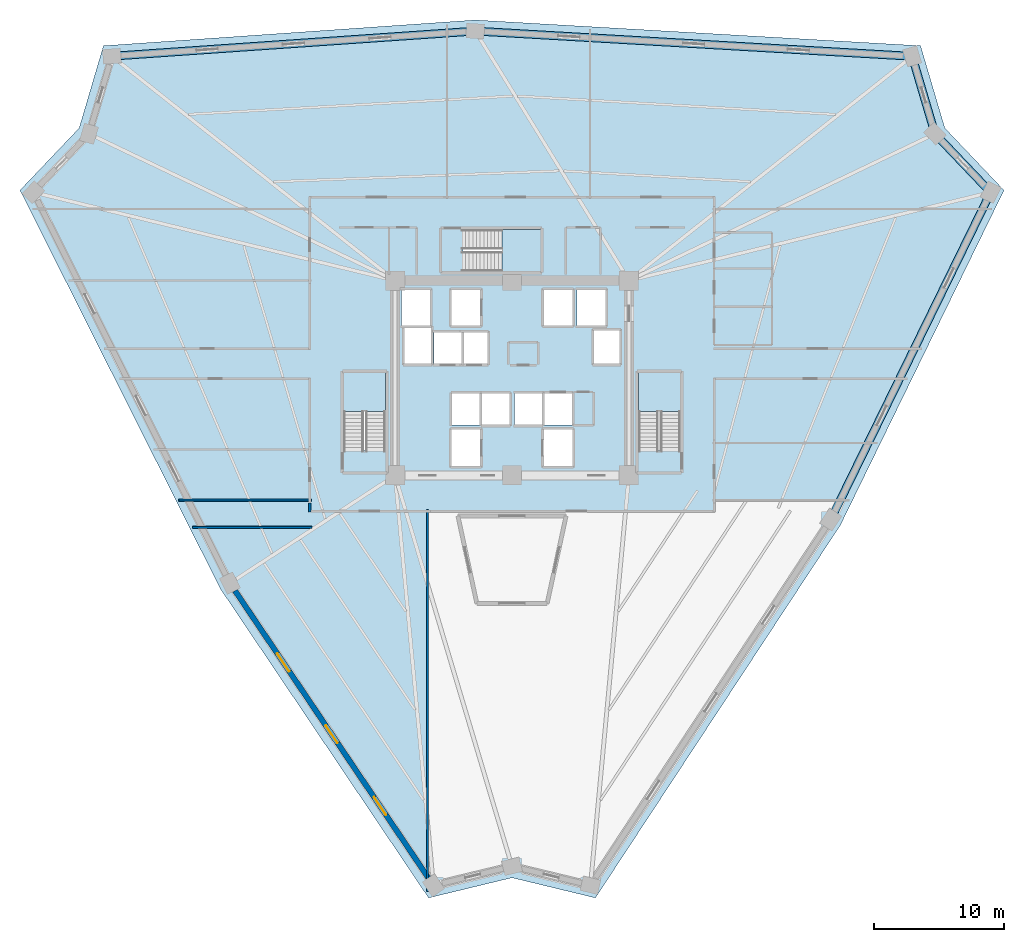
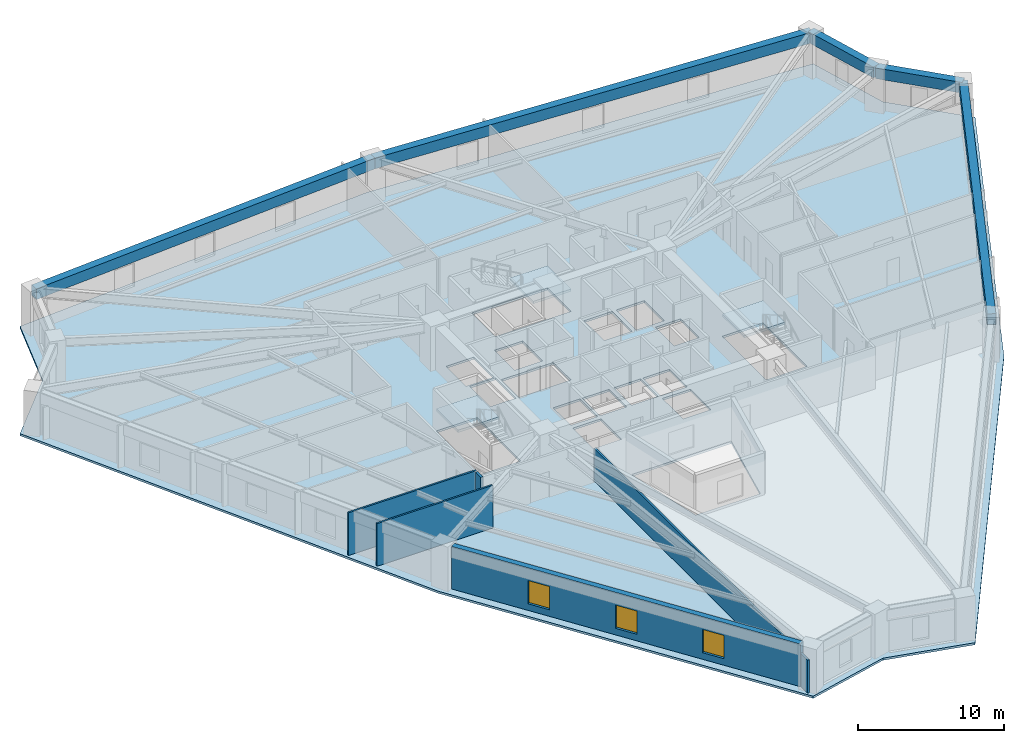
# One storey, part 2 of 9: 5 beams, 5 walls, 4 slabs, 3 windows, 3 openings, 3 elements without a shape of their own.
"""IFC4 building model written with IfcOpenShell, lengths in metres."""

from ifc_helpers import new_model, si_unit, direction, frame, frame_2d, origin, origin_2d, place, context, subcontext, project, spatial, polyline, rectangle, outline, extrude, source, transform, mapped, material, layer, layer_set, material_profile, profile_set, type_object, element, fill, aggregate, save


model = new_model("IFC4")

# Units and contexts
model_context = context("Model", 3, precision=1e-05, world=origin(), true_north=direction((0.0, 1.0)))
body_context = subcontext(model_context, "Body", "Model", "MODEL_VIEW")
ifc_project = project(units=[si_unit("LENGTHUNIT", "METRE"), si_unit("AREAUNIT", "SQUARE_METRE"), si_unit("VOLUMEUNIT", "CUBIC_METRE"), si_unit("PLANEANGLEUNIT", "RADIAN"), si_unit("MASSUNIT", "GRAM", prefix="KILO")], contexts=[model_context])

# Site, building, storey
site_placement = place(None, origin())
site = spatial("IfcSite", under=ifc_project, at=site_placement, CompositionType="ELEMENT")
building_placement = place(site_placement, origin())
building = spatial("IfcBuilding", under=site, at=building_placement, Name="Liaohun Quay Tower", CompositionType="ELEMENT")
storey_placement = place(building_placement, frame((0.0, 0.0, 102.0)))
storey = spatial("IfcBuildingStorey", under=building, at=storey_placement, Name="L26", CompositionType="ELEMENT", Elevation=102.0)

# Beams
ifc_material_1 = material(Name="Precast concrete C55", Category="concrete")
ifc_material_profile = material_profile(ifc_material_1, rectangle(XDim=0.60009765625, YDim=0.89990234375, at=origin_2d()), Name="RC600x900")
ifc_profile_set = profile_set([ifc_material_profile], Name="Precast concrete C55")
beam_type = type_object("IfcBeamType", Name="BM-SPD-Z2", PredefinedType="SPANDREL", material=ifc_profile_set)
shared_shape_1 = source(origin(), body_context, "Body", "SweptSolid", [
    extrude(rectangle(XDim=0.60009765625, YDim=0.89990234375, at=origin_2d()), origin(), (0.0, 0.0, 1.0), 33.677001953125),
])
beam_1_placement = place(storey_placement, frame((57.175048828125, 80.697021484375, 3.1201171875), z_axis=(0.998334044407, -0.057698663574, 0.0), x_axis=(0.057698663574, 0.998334044407, 0.0)))
element("IfcBeam", 1, at=beam_1_placement, inside=storey, type_object=beam_type, Name="L26 Precast Spandrel Beam PC06-PC07", PredefinedType="SPANDREL", context=body_context, shape_type="MappedRepresentation", body=[
    mapped(shared_shape_1, transform((0.0, 0.0, 0.0), x_axis=(1.0, 0.0, 0.0), y_axis=(0.0, 1.0, 0.0), z_axis=(0.0, 0.0, 1.0), scale=1.0)),
])
shared_shape_2 = source(origin(), body_context, "Body", "SweptSolid", [
    extrude(rectangle(XDim=0.60009765625, YDim=0.89990234375, at=origin_2d()), origin(), (0.0, 0.0, 1.0), 28.035888671875),
])
beam_2_placement = place(storey_placement, frame((29.2060546875, 78.760986328125, 3.1201171875), z_axis=(0.997612818127, 0.069055521929, 0.0), x_axis=(-0.069055521929, 0.997612818127, 0.0)))
element("IfcBeam", 2, at=beam_2_placement, inside=storey, type_object=beam_type, Name="L26 Precast Spandrel Beam PC05-PC06", PredefinedType="SPANDREL", context=body_context, shape_type="MappedRepresentation", body=[
    mapped(shared_shape_2, transform((0.0, 0.0, 0.0), x_axis=(1.0, 0.0, 0.0), y_axis=(0.0, 1.0, 0.0), z_axis=(0.0, 0.0, 1.0), scale=1.0)),
])
shared_shape_3 = source(origin(), body_context, "Body", "SweptSolid", [
    extrude(rectangle(XDim=0.60009765625, YDim=0.89990234375, at=origin_2d()), origin(), (0.0, 0.0, 1.0), 6.213623046875),
])
beam_3_placement = place(storey_placement, frame((90.7958984375, 78.75390625, 3.1201171875), z_axis=(0.282781040637, -0.95918448854, 0.0), x_axis=(0.95918448854, 0.282781040637, 0.0)))
element("IfcBeam", 3, at=beam_3_placement, inside=storey, type_object=beam_type, Name="L26 Precast Spandrel Beam PC07-PC08", PredefinedType="SPANDREL", context=body_context, shape_type="MappedRepresentation", body=[
    mapped(shared_shape_3, transform((0.0, 0.0, 0.0), x_axis=(1.0, 0.0, 0.0), y_axis=(0.0, 1.0, 0.0), z_axis=(0.0, 0.0, 1.0), scale=1.0)),
])
shared_shape_4 = source(origin(), body_context, "Body", "SweptSolid", [
    extrude(rectangle(XDim=0.60009765625, YDim=0.89990234375, at=origin_2d()), origin(), (0.0, 0.0, 1.0), 6.22021484375),
])
beam_4_placement = place(storey_placement, frame((92.552978515625, 72.7939453125, 3.1201171875), z_axis=(0.689384622257, -0.724395501502, 0.0), x_axis=(0.724395501502, 0.689384622257, 0.0)))
element("IfcBeam", 4, at=beam_4_placement, inside=storey, type_object=beam_type, Name="L26 Precast Spandrel Beam PC08-PC09", PredefinedType="SPANDREL", context=body_context, shape_type="MappedRepresentation", body=[
    mapped(shared_shape_4, transform((0.0, 0.0, 0.0), x_axis=(1.0, 0.0, 0.0), y_axis=(0.0, 1.0, 0.0), z_axis=(0.0, 0.0, 1.0), scale=1.0)),
])
shared_shape_5 = source(origin(), body_context, "Body", "SweptSolid", [
    extrude(rectangle(XDim=0.60009765625, YDim=0.89990234375, at=origin_2d()), origin(), (0.0, 0.0, 1.0), 28.036376953125),
])
beam_5_placement = place(storey_placement, frame((96.841064453125, 68.2880859375, 3.1201171875), z_axis=(-0.43900583459, -0.898484210877, 0.0), x_axis=(0.898484210877, -0.43900583459, 0.0)))
element("IfcBeam", 5, at=beam_5_placement, inside=storey, type_object=beam_type, Name="L26 Precast Spandrel Beam PC09-PC10", PredefinedType="SPANDREL", context=body_context, shape_type="MappedRepresentation", body=[
    mapped(shared_shape_5, transform((0.0, 0.0, 0.0), x_axis=(1.0, 0.0, 0.0), y_axis=(0.0, 1.0, 0.0), z_axis=(0.0, 0.0, 1.0), scale=1.0)),
])

# Stair, slab
ifc_material_2 = material(Name="Concrete C45", Category="concrete")
stair_type = type_object("IfcStairType", Name="STR-CORE-OFF", PredefinedType="HALF_TURN_STAIR", material=ifc_material_2)
stair_1_placement = place(storey_placement, origin())
stair_1 = element("IfcStair", 6, at=stair_1_placement, inside=storey, type_object=stair_type, Name="L26 Smokeproof Core Exit Stair ST-1", PredefinedType="HALF_TURN_STAIR")
ifc_layer_1 = layer(ifc_material_2, 0.199951171875, Name="Concrete C45", Category="concrete")
ifc_layer_set_1 = layer_set([ifc_layer_1], Name="Concrete C45")
slab_type_1 = type_object("IfcSlabType", Name="SLB-LND-200", PredefinedType="LANDING", material=ifc_layer_set_1)
slab_1_placement = place(storey_placement, frame((0.0, 0.0, 1.675048828125)))
slab_1 = element("IfcSlab", 7, at=slab_1_placement, type_object=slab_type_1, Name="ST-1 landing 1", PredefinedType="LANDING", context=body_context, shape_type="SweptSolid", body=[
    extrude(outline(polyline([(50.280029296875, 51.429931640625), (50.280029296875, 54.419921875), (47.0400390625, 54.419921875), (47.0400390625, 51.429931640625), (50.280029296875, 51.429931640625)])), origin(), (0.0, 0.0, 1.0), 0.199951171875),
])
aggregate(stair_1, [slab_1])

stair_2_placement = place(storey_placement, origin())
stair_2 = element("IfcStair", 8, at=stair_2_placement, inside=storey, type_object=stair_type, Name="L26 Smokeproof Core Exit Stair ST-2", PredefinedType="HALF_TURN_STAIR")
slab_2_placement = place(storey_placement, frame((0.0, 0.0, 1.675048828125)))
slab_2 = element("IfcSlab", 9, at=slab_2_placement, type_object=slab_type_1, Name="ST-2 landing 1", PredefinedType="LANDING", context=body_context, shape_type="SweptSolid", body=[
    extrude(outline(polyline([(72.9599609375, 51.429931640625), (72.9599609375, 54.419921875), (69.719970703125, 54.419921875), (69.719970703125, 51.429931640625), (72.9599609375, 51.429931640625)])), origin(), (0.0, 0.0, 1.0), 0.199951171875),
])
aggregate(stair_2, [slab_2])

stair_3_placement = place(storey_placement, origin())
stair_3 = element("IfcStair", 10, at=stair_3_placement, inside=storey, type_object=stair_type, Name="L26 Smokeproof Core Exit Stair ST-3", PredefinedType="HALF_TURN_STAIR")
slab_3_placement = place(storey_placement, frame((0.0, 0.0, 1.675048828125)))
slab_3 = element("IfcSlab", 11, at=slab_3_placement, type_object=slab_type_1, Name="ST-3 landing 1", PredefinedType="LANDING", context=body_context, shape_type="SweptSolid", body=[
    extrude(outline(polyline([(59.22998046875, 62.199951171875), (62.219970703125, 62.199951171875), (62.219970703125, 65.43994140625), (59.22998046875, 65.43994140625), (59.22998046875, 62.199951171875)])), origin(), (0.0, 0.0, 1.0), 0.199951171875),
])
aggregate(stair_3, [slab_3])

# Slab
ifc_layer_2 = layer(ifc_material_2, 0.179931640625, Name="Concrete C45", Category="concrete")
ifc_layer_set_2 = layer_set([ifc_layer_2], Name="Concrete C45")
slab_type_2 = type_object("IfcSlabType", Name="SLB-OFF-180", PredefinedType="FLOOR", material=ifc_layer_set_2)
slab_4_placement = place(storey_placement, frame((0.0, 0.0, -0.179931640625)))
element("IfcSlab", 12, at=slab_4_placement, inside=storey, type_object=slab_type_2, Name="L26 Structural Floor Slab", PredefinedType="FLOOR", context=body_context, shape_type="SweptSolid", body=[
    extrude(outline(polyline([(53.5791015625, 13.986083984375), (60.0, 15.537109375), (66.4208984375, 13.986083984375), (85.27294921875, 42.676025390625), (97.864013671875, 68.446044921875), (93.31005859375, 73.23095703125), (91.44189453125, 79.568115234375), (57.169921875, 81.549072265625), (28.55810546875, 79.568115234375), (26.68994140625, 73.23095703125), (22.135986328125, 68.446044921875), (37.556884765625, 37.77490234375), (53.5791015625, 13.986083984375)]), holes=[polyline([(57.56005859375, 47.2099609375), (57.56005859375, 50.030029296875), (55.340087890625, 50.030029296875), (55.340087890625, 47.2099609375), (57.56005859375, 47.2099609375)]), polyline([(50.280029296875, 54.419921875), (47.0400390625, 54.419921875), (47.0400390625, 48.409912109375), (50.280029296875, 48.409912109375), (50.280029296875, 54.419921875)]), polyline([(57.510009765625, 50.389892578125), (57.510009765625, 52.81005859375), (55.389892578125, 52.81005859375), (55.389892578125, 50.389892578125), (57.510009765625, 50.389892578125)]), polyline([(59.81005859375, 50.389892578125), (59.81005859375, 52.81005859375), (57.68994140625, 52.81005859375), (57.68994140625, 50.389892578125), (59.81005859375, 50.389892578125)]), polyline([(58.110107421875, 57.510009765625), (53.989990234375, 57.510009765625), (53.989990234375, 55.090087890625), (58.110107421875, 55.090087890625), (58.110107421875, 57.510009765625)]), polyline([(53.760009765625, 55.090087890625), (53.760009765625, 57.909912109375), (51.7099609375, 57.909912109375), (51.7099609375, 55.090087890625), (53.760009765625, 55.090087890625)]), polyline([(51.489990234375, 58.0400390625), (53.7099609375, 58.0400390625), (53.7099609375, 60.7900390625), (51.489990234375, 60.7900390625), (51.489990234375, 58.0400390625)]), polyline([(55.340087890625, 58.0400390625), (57.56005859375, 58.0400390625), (57.56005859375, 60.7900390625), (55.340087890625, 60.7900390625), (55.340087890625, 58.0400390625)]), polyline([(62.56591796875, 36.80810546875), (63.947998046875, 43.199951171875), (56.052001953125, 43.199951171875), (57.43408203125, 36.80810546875), (62.56591796875, 36.80810546875)]), polyline([(64.659912109375, 47.2099609375), (64.659912109375, 50.030029296875), (62.43994140625, 50.030029296875), (62.43994140625, 47.2099609375), (64.659912109375, 47.2099609375)]), polyline([(72.9599609375, 54.419921875), (69.719970703125, 54.419921875), (69.719970703125, 48.409912109375), (72.9599609375, 48.409912109375), (72.9599609375, 54.419921875)]), polyline([(62.31005859375, 50.389892578125), (62.31005859375, 52.81005859375), (60.18994140625, 52.81005859375), (60.18994140625, 50.389892578125), (62.31005859375, 50.389892578125)]), polyline([(64.610107421875, 50.389892578125), (64.610107421875, 52.81005859375), (62.489990234375, 52.81005859375), (62.489990234375, 50.389892578125), (64.610107421875, 50.389892578125)]), polyline([(68.2900390625, 55.090087890625), (68.2900390625, 57.659912109375), (66.2900390625, 57.659912109375), (66.2900390625, 55.090087890625), (68.2900390625, 55.090087890625)]), polyline([(64.659912109375, 58.0400390625), (64.659912109375, 60.7900390625), (62.43994140625, 60.7900390625), (62.43994140625, 58.0400390625), (64.659912109375, 58.0400390625)]), polyline([(64.989990234375, 58.0400390625), (67.2099609375, 58.0400390625), (67.2099609375, 60.7900390625), (64.989990234375, 60.7900390625), (64.989990234375, 58.0400390625)]), polyline([(56.2099609375, 62.199951171875), (62.219970703125, 62.199951171875), (62.219970703125, 65.43994140625), (56.2099609375, 65.43994140625), (56.2099609375, 62.199951171875)])]), origin(), (0.0, 0.0, 1.0), 0.179931640625),
])

# Wall, openings, windows
ifc_material_3 = material(Name="Precast concrete C50 insulated sandwich", Category="concrete")
ifc_layer_3 = layer(ifc_material_3, 0.419921875, Name="Precast concrete C50 insulated sandwich", Category="concrete")
ifc_layer_set_3 = layer_set([ifc_layer_3], Name="Precast concrete C50 insulated sandwich")
wall_type_1 = type_object("IfcWallType", Name="WAL-EXT-Z12", PredefinedType="SOLIDWALL", material=ifc_layer_set_3)
wall_1_placement = place(storey_placement, frame((38.677001953125, 37.633056640625, 0.0), z_axis=(0.0, 0.0, 1.0), x_axis=(0.558641911568, -0.829408955004, 0.0)))
wall_1 = element("IfcWall", 13, at=wall_1_placement, inside=storey, type_object=wall_type_1, Name="L26 Brutalist Precast Pier Wall 11", PredefinedType="SOLIDWALL", context=body_context, shape_type="SweptSolid", body=[
    extrude(rectangle(XDim=26.65771484375, YDim=0.419921875, at=frame_2d((13.328857421875, 0.0))), origin(), (0.0, 0.0, 1.0), 3.570068359375),
])
shared_shape_6 = source(origin(), body_context, "Body", "SweptSolid", [
    extrude(rectangle(XDim=1.64990234375, YDim=1.949951171875, at=frame_2d((0.824951171875, 0.97509765625))), frame((0.0, 0.219970703125, 0.0), z_axis=(0.0, -1.0, 0.0), x_axis=(1.0, 0.0, 0.0)), (0.0, 0.0, 1.0), 0.43994140625),
])
opening_1_placement = place(wall_1_placement, frame((5.839111328125, 0.0, 0.550048828125)))
opening_1 = element("IfcOpeningElement", 14, at=opening_1_placement, cuts=wall_1, Name="Opening W02", PredefinedType="OPENING", context=body_context, shape_type="MappedRepresentation", body=[
    mapped(shared_shape_6, transform((0.0, 0.0, 0.0), x_axis=(1.0, 0.0, 0.0), y_axis=(0.0, 1.0, 0.0), z_axis=(0.0, 0.0, 1.0), scale=1.0)),
])
opening_2_placement = place(wall_1_placement, frame((12.50390625, 0.0, 0.550048828125)))
opening_2 = element("IfcOpeningElement", 15, at=opening_2_placement, cuts=wall_1, Name="Opening W02", PredefinedType="OPENING", context=body_context, shape_type="MappedRepresentation", body=[
    mapped(shared_shape_6, transform((0.0, 0.0, 0.0), x_axis=(1.0, 0.0, 0.0), y_axis=(0.0, 1.0, 0.0), z_axis=(0.0, 0.0, 1.0), scale=1.0)),
])
opening_3_placement = place(wall_1_placement, frame((19.16796875, 0.0, 0.550048828125)))
opening_3 = element("IfcOpeningElement", 16, at=opening_3_placement, cuts=wall_1, Name="Opening W02", PredefinedType="OPENING", context=body_context, shape_type="MappedRepresentation", body=[
    mapped(shared_shape_6, transform((0.0, 0.0, 0.0), x_axis=(1.0, 0.0, 0.0), y_axis=(0.0, 1.0, 0.0), z_axis=(0.0, 0.0, 1.0), scale=1.0)),
])
ifc_material_4 = material(Name="Triple Low-E argon glazing in thermally broken aluminium", Category="aluminium")
window_type = type_object("IfcWindowType", Name="WIN-PUN-Z2", PartitioningType="DOUBLE_PANEL_VERTICAL", PredefinedType="WINDOW", material=ifc_material_4)
shared_shape_7 = source(origin(), body_context, "Body", "SweptSolid", [
    extrude(rectangle(XDim=1.64990234375, YDim=1.949951171875, at=frame_2d((0.824951171875, 0.97509765625))), frame((0.0, 0.030029296875, 0.0), z_axis=(0.0, -1.0, 0.0), x_axis=(1.0, 0.0, 0.0)), (0.0, 0.0, 1.0), 0.06005859375),
])
window_1_placement = place(opening_1_placement, origin())
window_1 = element("IfcWindow", 17, at=window_1_placement, inside=storey, type_object=window_type, Name="L26 Recessed Cold-Climate Punched Window 11-1", OverallHeight=1.949951171875, OverallWidth=1.64990234375, PartitioningType="DOUBLE_PANEL_VERTICAL", PredefinedType="WINDOW", context=body_context, shape_type="MappedRepresentation", body=[
    mapped(shared_shape_7, transform((0.0, 0.0, 0.0), x_axis=(1.0, 0.0, 0.0), y_axis=(0.0, 1.0, 0.0), z_axis=(0.0, 0.0, 1.0), scale=1.0)),
])
fill(opening_1, window_1)
window_2_placement = place(opening_2_placement, origin())
window_2 = element("IfcWindow", 18, at=window_2_placement, inside=storey, type_object=window_type, Name="L26 Recessed Cold-Climate Punched Window 11-2", OverallHeight=1.949951171875, OverallWidth=1.64990234375, PartitioningType="DOUBLE_PANEL_VERTICAL", PredefinedType="WINDOW", context=body_context, shape_type="MappedRepresentation", body=[
    mapped(shared_shape_7, transform((0.0, 0.0, 0.0), x_axis=(1.0, 0.0, 0.0), y_axis=(0.0, 1.0, 0.0), z_axis=(0.0, 0.0, 1.0), scale=1.0)),
])
fill(opening_2, window_2)
window_3_placement = place(opening_3_placement, origin())
window_3 = element("IfcWindow", 19, at=window_3_placement, inside=storey, type_object=window_type, Name="L26 Recessed Cold-Climate Punched Window 11-3", OverallHeight=1.949951171875, OverallWidth=1.64990234375, PartitioningType="DOUBLE_PANEL_VERTICAL", PredefinedType="WINDOW", context=body_context, shape_type="MappedRepresentation", body=[
    mapped(shared_shape_7, transform((0.0, 0.0, 0.0), x_axis=(1.0, 0.0, 0.0), y_axis=(0.0, 1.0, 0.0), z_axis=(0.0, 0.0, 1.0), scale=1.0)),
])
fill(opening_3, window_3)

# Walls
ifc_material_5 = material(Name="Autoclaved aerated concrete blockwork", Category="masonry")
ifc_layer_4 = layer(ifc_material_5, 0.179931640625, Name="Autoclaved aerated concrete blockwork", Category="masonry")
ifc_layer_set_4 = layer_set([ifc_layer_4], Name="Autoclaved aerated concrete blockwork")
wall_type_2 = type_object("IfcWallType", Name="WAL-PRT-COR", PredefinedType="PARTITIONING", material=ifc_layer_set_4)
wall_2_placement = place(storey_placement, frame((44.43994140625, 43.669921875, 0.0), z_axis=(0.0, 0.0, 1.0), x_axis=(0.0, 1.0, 0.0)))
element("IfcWall", 20, at=wall_2_placement, inside=storey, type_object=wall_type_2, Name="L26 Interior Partition Wall 041", PredefinedType="PARTITIONING", context=body_context, shape_type="SweptSolid", body=[
    extrude(rectangle(XDim=0.715087890625, YDim=0.179931640625, at=frame_2d((0.357421875, 0.0))), origin(), (0.0, 0.0, 1.0), 3.570068359375),
])
ifc_material_6 = material(Name="Gypsum board on twin steel studs", Category="steel")
ifc_layer_5 = layer(ifc_material_6, 0.139892578125, Name="Gypsum board on twin steel studs", Category="steel")
ifc_layer_set_5 = layer_set([ifc_layer_5], Name="Gypsum board on twin steel studs")
wall_type_3 = type_object("IfcWallType", Name="WAL-PRT-OFF", PredefinedType="PARTITIONING", material=ifc_layer_set_5)
wall_3_placement = place(storey_placement, frame((44.60009765625, 42.5, 0.0), z_axis=(0.0, 0.0, 1.0), x_axis=(-1.0, 0.0, 0.0)))
element("IfcWall", 21, at=wall_3_placement, inside=storey, type_object=wall_type_3, Name="L26 Interior Partition Wall 044", PredefinedType="PARTITIONING", context=body_context, shape_type="SweptSolid", body=[
    extrude(rectangle(XDim=9.172119140625, YDim=0.139892578125, at=frame_2d((4.5859375, 0.0))), origin(), (0.0, 0.0, 1.0), 3.570068359375),
])
wall_4_placement = place(storey_placement, frame((44.5400390625, 44.60009765625, 0.0), z_axis=(0.0, 0.0, 1.0), x_axis=(-1.0, 0.0, 0.0)))
element("IfcWall", 22, at=wall_4_placement, inside=storey, type_object=wall_type_3, Name="L26 Interior Partition Wall 045", PredefinedType="PARTITIONING", context=body_context, shape_type="SweptSolid", body=[
    extrude(rectangle(XDim=10.16796875, YDim=0.139892578125, at=frame_2d((5.083984375, 0.0))), origin(), (0.0, 0.0, 1.0), 3.570068359375),
])
wall_5_placement = place(storey_placement, frame((53.5, 43.840087890625, 0.0), z_axis=(0.0, 0.0, 1.0), x_axis=(0.0, -1.0, 0.0)))
element("IfcWall", 23, at=wall_5_placement, inside=storey, type_object=wall_type_3, Name="L26 Interior Partition Wall 054", PredefinedType="PARTITIONING", context=body_context, shape_type="SweptSolid", body=[
    extrude(rectangle(XDim=29.343017578125, YDim=0.139892578125, at=frame_2d((14.67138671875, 0.0))), origin(), (0.0, 0.0, 1.0), 2.7548828125),
])

save(model, "model.ifc")
